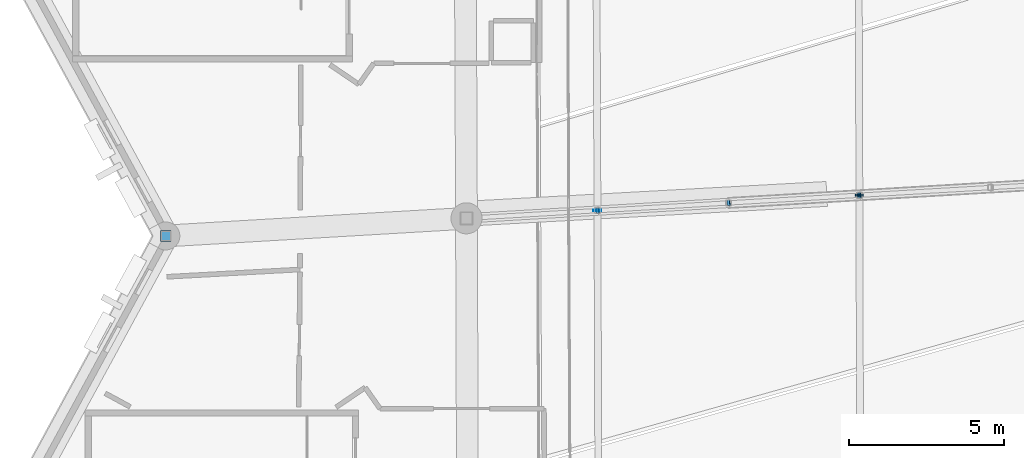
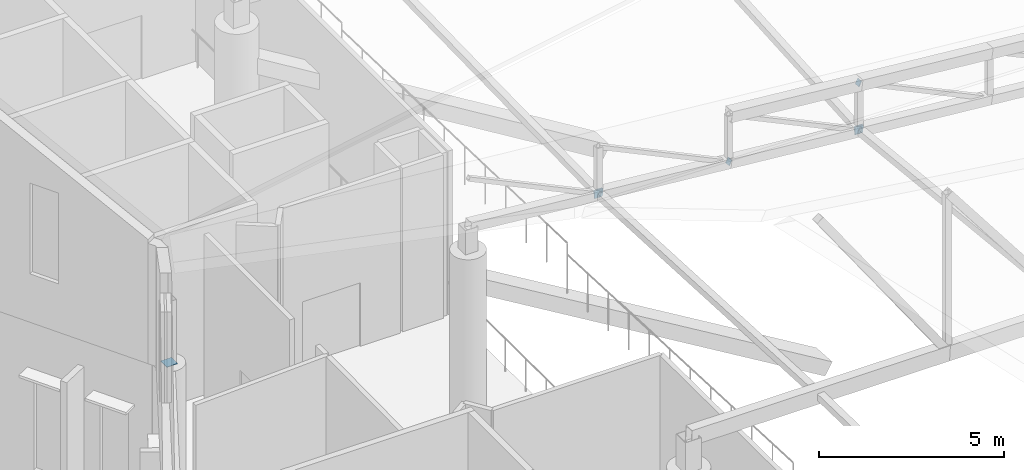
# One storey, part 288 of 344: 9 discrete accessories.
"""IFC4 building model written with IfcOpenShell, lengths in metres."""

from ifc_helpers import new_model, si_unit, direction, frame, origin, origin_2d, place, context, subcontext, project, spatial, rectangle, extrude, material, material_profile, profile_set, type_object, element, save


model = new_model("IFC4")

# Units and contexts
model_context = context("Model", 3, precision=1e-05, world=origin(), true_north=direction((0.0, 1.0)))
body_context = subcontext(model_context, "Body", "Model", "MODEL_VIEW")
ifc_project = project(units=[si_unit("LENGTHUNIT", "METRE"), si_unit("AREAUNIT", "SQUARE_METRE"), si_unit("VOLUMEUNIT", "CUBIC_METRE"), si_unit("PLANEANGLEUNIT", "RADIAN"), si_unit("MASSUNIT", "GRAM", prefix="KILO")], contexts=[model_context])

# Site, building, storey
site_placement = place(None, origin())
site = spatial("IfcSite", under=ifc_project, at=site_placement, CompositionType="ELEMENT")
building_placement = place(site_placement, origin())
building = spatial("IfcBuilding", under=site, at=building_placement, Name="Meseta Stadium", CompositionType="ELEMENT")
storey_placement = place(building_placement, frame((0.0, 0.0, 24.0)))
storey = spatial("IfcBuildingStorey", under=building, at=storey_placement, Name="L04", CompositionType="ELEMENT", Elevation=24.0)

# Discrete accessories
ifc_material_1 = material(Name="Steel S355", Category="steel")
ifc_material_profile_1 = material_profile(ifc_material_1, rectangle(XDim=0.179931640625, YDim=0.179931640625, at=origin_2d()), Name="PL 180x180")
ifc_profile_set_1 = profile_set([ifc_material_profile_1], Name="Steel S355")
discrete_accessory_type_1 = type_object("IfcDiscreteAccessoryType", Name="End plate 180x180x20", PredefinedType="ANCHORPLATE", material=ifc_profile_set_1)
for number, where, z_axis, x_axis, name in (
    (1, (-72.280517578125, -29.93896484375, 6.635986328125), (-0.890906631558, -0.048816801729, 0.451555415995), (0.054712446702, -0.998502152314, 0.0), "End plate of ROOF TRUSS RT-35 diagonal"),
    (2, (-72.2626953125, -29.93798828125, 5.072509765625), (-0.890906631558, -0.048816801729, 0.451555415995), (0.054712446702, -0.998502152314, 0.0), "End plate of ROOF TRUSS RT-35 diagonal"),
    (3, (-76.4775390625, -30.185546875, 5.645263671875), (-0.890906631558, -0.048816801729, 0.451555415995), (0.054712446702, -0.998502152314, 0.0), "End plate of ROOF TRUSS RT-35 diagonal"),
):
    element("IfcDiscreteAccessory", number, at=place(storey_placement, frame(where, z_axis=z_axis, x_axis=x_axis)), inside=storey, type_object=discrete_accessory_type_1, Name=name, PredefinedType="ANCHORPLATE", context=body_context, shape_type="SweptSolid", body=[
        extrude(rectangle(XDim=0.179931640625, YDim=0.179931640625, at=origin_2d()), origin(), (0.0, 0.0, 1.0), 0.02001953125),
    ])
discrete_accessory_1_placement = place(storey_placement, frame((-80.692626953125, -30.43310546875, 6.21826171875), z_axis=(-0.895789814442, -0.049084373394, 0.441759360547), x_axis=(0.054712446702, -0.998502152314, 0.0)))
element("IfcDiscreteAccessory", 4, at=discrete_accessory_1_placement, inside=storey, type_object=discrete_accessory_type_1, Name="End plate of ROOF TRUSS RT-35 diagonal", PredefinedType="ANCHORPLATE", context=body_context, shape_type="SweptSolid", body=[
    extrude(rectangle(XDim=0.179931640625, YDim=0.179931640625, at=origin_2d()), origin(), (0.0, 0.0, 1.0), 0.019775390625),
])
ifc_material_2 = material(Name="Steel S355", Category="steel")
ifc_material_profile_2 = material_profile(ifc_material_2, rectangle(XDim=0.260009765625, YDim=0.260009765625, at=origin_2d()), Name="PL 260x260")
ifc_profile_set_2 = profile_set([ifc_material_profile_2], Name="Steel S355")
discrete_accessory_type_2 = type_object("IfcDiscreteAccessoryType", Name="End plate 260x260x20", PredefinedType="ANCHORPLATE", material=ifc_profile_set_2)
for number, where, z_axis, x_axis, name in (
    (5, (-72.280517578125, -29.93896484375, 5.08154296875), (0.0, -0.997333723592, -0.072975638312), (1.0, 0.0, 0.0), "End plate of ROOF TRUSS STRUT RT-34/35"),
    (6, (-80.71044921875, -30.43408203125, 6.22705078125), (0.012190590302, -0.999628404729, -0.024381180603), (0.999925647793, 0.012194215217, 0.0), "End plate of ROOF TRUSS STRUT RT-34/35"),
    (7, (-72.280517578125, -29.9189453125, 5.079345703125), (0.0, -0.994030677348, 0.109100928002), (1.0, 0.0, 0.0), "End plate of ROOF TRUSS STRUT RT-35/36"),
    (8, (-80.71044921875, -30.4140625, 6.226318359375), (0.0, -0.999331426586, 0.036560905851), (1.0, 0.0, 0.0), "End plate of ROOF TRUSS STRUT RT-35/36"),
):
    element("IfcDiscreteAccessory", number, at=place(storey_placement, frame(where, z_axis=z_axis, x_axis=x_axis)), inside=storey, type_object=discrete_accessory_type_2, Name=name, PredefinedType="ANCHORPLATE", context=body_context, shape_type="SweptSolid", body=[
        extrude(rectangle(XDim=0.260009765625, YDim=0.260009765625, at=origin_2d()), origin(), (0.0, 0.0, 1.0), 0.02001953125),
    ])
ifc_material_3 = material(Name="Steel S355", Category="steel")
ifc_material_profile_3 = material_profile(ifc_material_3, rectangle(XDim=0.340087890625, YDim=0.340087890625, at=origin_2d()), Name="PL 340x340")
ifc_profile_set_3 = profile_set([ifc_material_profile_3], Name="Steel S355")
discrete_accessory_type_3 = type_object("IfcDiscreteAccessoryType", Name="End plate 340x340x20", PredefinedType="ANCHORPLATE", material=ifc_profile_set_3)
discrete_accessory_2_placement = place(storey_placement, frame((-94.60009765625, -31.25, 5.97998046875), z_axis=(0.0, 0.0, 1.0), x_axis=(1.0, 0.0, 0.0)))
element("IfcDiscreteAccessory", 9, at=discrete_accessory_2_placement, inside=storey, type_object=discrete_accessory_type_3, Name="End plate of ROOF RIM POST RT-35", PredefinedType="ANCHORPLATE", context=body_context, shape_type="SweptSolid", body=[
    extrude(rectangle(XDim=0.340087890625, YDim=0.340087890625, at=origin_2d()), origin(), (0.0, 0.0, 1.0), 0.02001953125),
])

save(model, "model.ifc")
